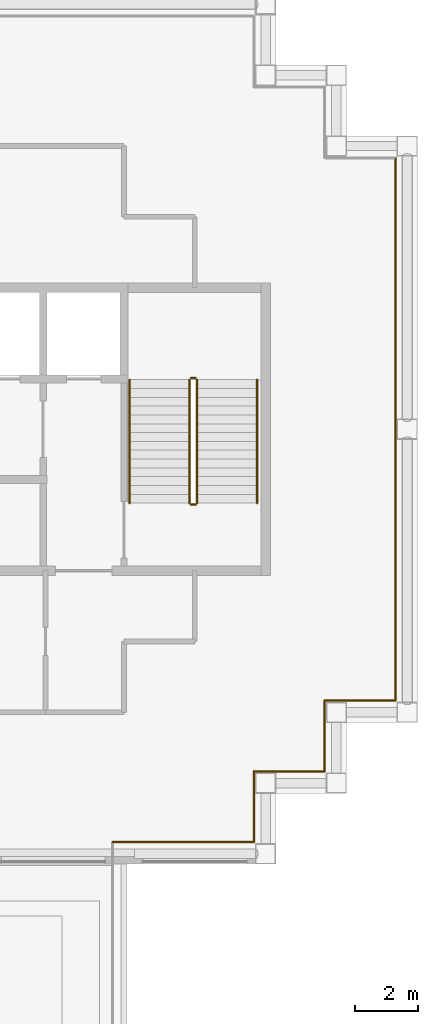
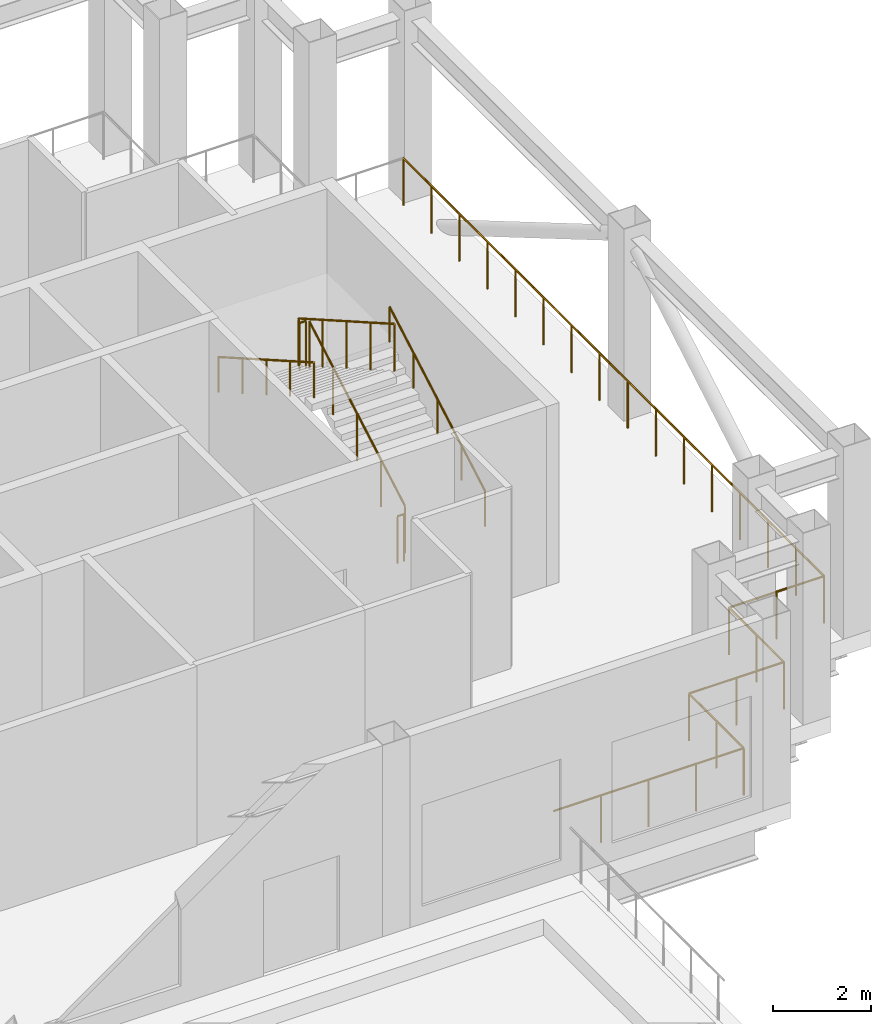
# One storey, part 9 of 10: 12 railings.
"""IFC4 building model written with IfcOpenShell, lengths in metres."""

from ifc_helpers import new_model, si_unit, direction, frame, origin, origin_2d, place, context, subcontext, project, spatial, circle, extrude, material, type_object, element, save


model = new_model("IFC4")

# Units and contexts
model_context = context("Model", 3, precision=1e-05, world=origin(), true_north=direction((0.0, 1.0)))
body_context = subcontext(model_context, "Body", "Model", "MODEL_VIEW")
ifc_project = project(units=[si_unit("LENGTHUNIT", "METRE"), si_unit("AREAUNIT", "SQUARE_METRE"), si_unit("VOLUMEUNIT", "CUBIC_METRE"), si_unit("PLANEANGLEUNIT", "RADIAN"), si_unit("MASSUNIT", "GRAM", prefix="KILO")], contexts=[model_context])

# Site, building, storey
site_placement = place(None, origin())
site = spatial("IfcSite", under=ifc_project, at=site_placement, CompositionType="ELEMENT")
building_placement = place(site_placement, origin())
building = spatial("IfcBuilding", under=site, at=building_placement, Name="Caravel Reach Hotel and Residences", CompositionType="ELEMENT")
storey_placement = place(building_placement, frame((0.0, 0.0, 233.10009765625)))
storey = spatial("IfcBuildingStorey", under=building, at=storey_placement, Name="L59", CompositionType="ELEMENT", Elevation=233.10009765625)

# Railings
ifc_material_1 = material(Name="Stainless steel S30408", Category="steel")
railing_type_1 = type_object("IfcRailingType", Name="G1 Guard 1200 stainless", PredefinedType="GUARDRAIL", material=ifc_material_1)
railing_1_placement = place(storey_placement, frame((40.125, 13.875, 0.0)))
element("IfcRailing", 1, at=railing_1_placement, inside=storey, type_object=railing_type_1, Name="Guard L59 1 run 3", PredefinedType="GUARDRAIL", context=body_context, shape_type="SweptSolid", body=[
    extrude(circle(Radius=0.02392578125, at=origin_2d()), frame((0.0, 0.0, 1.17578125), z_axis=(1.0, 0.0, 0.0), x_axis=(0.0, 1.0, 0.0)), (0.0, 0.0, 1.0), 4.5),
    extrude(circle(Radius=0.02099609375, at=origin_2d()), frame((1.125, 0.0, 0.0)), (0.0, 0.0, 1.0), 1.15185546875),
    extrude(circle(Radius=0.02099609375, at=origin_2d()), frame((2.25, 0.0, 0.0)), (0.0, 0.0, 1.0), 1.15185546875),
    extrude(circle(Radius=0.02099609375, at=origin_2d()), frame((3.375, 0.0, 0.0)), (0.0, 0.0, 1.0), 1.15185546875),
    extrude(circle(Radius=0.02099609375, at=origin_2d()), frame((4.5, 0.0, 0.0)), (0.0, 0.0, 1.0), 1.15185546875),
])
railing_2_placement = place(storey_placement, frame((44.625, 13.875, 0.0)))
element("IfcRailing", 2, at=railing_2_placement, inside=storey, type_object=railing_type_1, Name="Guard L59 1 run 4", PredefinedType="GUARDRAIL", context=body_context, shape_type="SweptSolid", body=[
    extrude(circle(Radius=0.02392578125, at=origin_2d()), frame((0.0, 0.0, 1.17578125), z_axis=(0.0, 1.0, 0.0), x_axis=(-1.0, 0.0, 0.0)), (0.0, 0.0, 1.0), 2.25),
    extrude(circle(Radius=0.02099609375, at=origin_2d()), frame((0.0, 1.125, 0.0)), (0.0, 0.0, 1.0), 1.15185546875),
    extrude(circle(Radius=0.02099609375, at=origin_2d()), frame((0.0, 2.25, 0.0)), (0.0, 0.0, 1.0), 1.15185546875),
])
railing_3_placement = place(storey_placement, frame((44.625, 16.125, 0.0)))
element("IfcRailing", 3, at=railing_3_placement, inside=storey, type_object=railing_type_1, Name="Guard L59 1 run 5", PredefinedType="GUARDRAIL", context=body_context, shape_type="SweptSolid", body=[
    extrude(circle(Radius=0.02392578125, at=origin_2d()), frame((0.0, 0.0, 1.17578125), z_axis=(1.0, 0.0, 0.0), x_axis=(0.0, 1.0, 0.0)), (0.0, 0.0, 1.0), 2.25),
    extrude(circle(Radius=0.02099609375, at=origin_2d()), frame((1.125, 0.0, 0.0)), (0.0, 0.0, 1.0), 1.15185546875),
    extrude(circle(Radius=0.02099609375, at=origin_2d()), frame((2.25, 0.0, 0.0)), (0.0, 0.0, 1.0), 1.15185546875),
])
railing_4_placement = place(storey_placement, frame((46.875, 16.125, 0.0)))
element("IfcRailing", 4, at=railing_4_placement, inside=storey, type_object=railing_type_1, Name="Guard L59 1 run 6", PredefinedType="GUARDRAIL", context=body_context, shape_type="SweptSolid", body=[
    extrude(circle(Radius=0.02392578125, at=origin_2d()), frame((0.0, 0.0, 1.17578125), z_axis=(0.0, 1.0, 0.0), x_axis=(-1.0, 0.0, 0.0)), (0.0, 0.0, 1.0), 2.25),
    extrude(circle(Radius=0.02099609375, at=origin_2d()), frame((0.0, 1.125, 0.0)), (0.0, 0.0, 1.0), 1.15185546875),
    extrude(circle(Radius=0.02099609375, at=origin_2d()), frame((0.0, 2.25, 0.0)), (0.0, 0.0, 1.0), 1.15185546875),
])
railing_5_placement = place(storey_placement, frame((46.875, 18.375, 0.0)))
element("IfcRailing", 5, at=railing_5_placement, inside=storey, type_object=railing_type_1, Name="Guard L59 1 run 7", PredefinedType="GUARDRAIL", context=body_context, shape_type="SweptSolid", body=[
    extrude(circle(Radius=0.02392578125, at=origin_2d()), frame((0.0, 0.0, 1.17578125), z_axis=(1.0, 0.0, 0.0), x_axis=(0.0, 1.0, 0.0)), (0.0, 0.0, 1.0), 2.25),
    extrude(circle(Radius=0.02099609375, at=origin_2d()), frame((1.125, 0.0, 0.0)), (0.0, 0.0, 1.0), 1.15185546875),
    extrude(circle(Radius=0.02099609375, at=origin_2d()), frame((2.25, 0.0, 0.0)), (0.0, 0.0, 1.0), 1.15185546875),
])
railing_6_placement = place(storey_placement, frame((49.125, 18.375, 0.0)))
element("IfcRailing", 6, at=railing_6_placement, inside=storey, type_object=railing_type_1, Name="Guard L59 1 run 8", PredefinedType="GUARDRAIL", context=body_context, shape_type="SweptSolid", body=[
    extrude(circle(Radius=0.02392578125, at=origin_2d()), frame((0.0, 0.0, 1.17578125), z_axis=(0.0, 1.0, 0.0), x_axis=(-1.0, 0.0, 0.0)), (0.0, 0.0, 1.0), 17.25),
    extrude(circle(Radius=0.02099609375, at=origin_2d()), frame((0.0, 1.14990234375, 0.0)), (0.0, 0.0, 1.0), 1.15185546875),
    extrude(circle(Radius=0.02099609375, at=origin_2d()), frame((0.0, 2.300048828125, 0.0)), (0.0, 0.0, 1.0), 1.15185546875),
    extrude(circle(Radius=0.02099609375, at=origin_2d()), frame((0.0, 3.449951171875, 0.0)), (0.0, 0.0, 1.0), 1.15185546875),
    extrude(circle(Radius=0.02099609375, at=origin_2d()), frame((0.0, 4.60009765625, 0.0)), (0.0, 0.0, 1.0), 1.15185546875),
    extrude(circle(Radius=0.02099609375, at=origin_2d()), frame((0.0, 5.75, 0.0)), (0.0, 0.0, 1.0), 1.15185546875),
    extrude(circle(Radius=0.02099609375, at=origin_2d()), frame((0.0, 6.89990234375, 0.0)), (0.0, 0.0, 1.0), 1.15185546875),
    extrude(circle(Radius=0.02099609375, at=origin_2d()), frame((0.0, 8.050048828125, 0.0)), (0.0, 0.0, 1.0), 1.15185546875),
    extrude(circle(Radius=0.02099609375, at=origin_2d()), frame((0.0, 9.199951171875, 0.0)), (0.0, 0.0, 1.0), 1.15185546875),
    extrude(circle(Radius=0.02099609375, at=origin_2d()), frame((0.0, 10.35009765625, 0.0)), (0.0, 0.0, 1.0), 1.15185546875),
    extrude(circle(Radius=0.02099609375, at=origin_2d()), frame((0.0, 11.5, 0.0)), (0.0, 0.0, 1.0), 1.15185546875),
    extrude(circle(Radius=0.02099609375, at=origin_2d()), frame((0.0, 12.64990234375, 0.0)), (0.0, 0.0, 1.0), 1.15185546875),
    extrude(circle(Radius=0.02099609375, at=origin_2d()), frame((0.0, 13.800048828125, 0.0)), (0.0, 0.0, 1.0), 1.15185546875),
    extrude(circle(Radius=0.02099609375, at=origin_2d()), frame((0.0, 14.949951171875, 0.0)), (0.0, 0.0, 1.0), 1.15185546875),
    extrude(circle(Radius=0.02099609375, at=origin_2d()), frame((0.0, 16.10009765625, 0.0)), (0.0, 0.0, 1.0), 1.15185546875),
    extrude(circle(Radius=0.02099609375, at=origin_2d()), frame((0.0, 17.25, 0.0)), (0.0, 0.0, 1.0), 1.15185546875),
])
ifc_material_2 = material(Name="Steel balustrade with glass infill", Category="steel")
railing_type_2 = type_object("IfcRailingType", Name="Guard 1200", PredefinedType="GUARDRAIL", material=ifc_material_2)
railing_7_placement = place(storey_placement, frame((42.824951171875, 24.64990234375, 0.159912109375)))
element("IfcRailing", 7, at=railing_7_placement, inside=storey, type_object=railing_type_2, Name="L59 ST-B stair guard 1", PredefinedType="GUARDRAIL", context=body_context, shape_type="SweptSolid", body=[
    extrude(circle(Radius=0.02392578125, at=origin_2d()), frame((0.0, 0.0, 1.17578125), z_axis=(0.0, 0.86825312469, 0.496121468458), x_axis=(-1.0, 0.0, 0.0)), (0.0, 0.0, 1.0), 4.514892578125),
    extrude(circle(Radius=0.02099609375, at=origin_2d()), origin(), (0.0, 0.0, 1.0), 1.15185546875),
    extrude(circle(Radius=0.02099609375, at=origin_2d()), frame((0.0, 0.97998046875, 0.56005859375)), (0.0, 0.0, 1.0), 1.15185546875),
    extrude(circle(Radius=0.02099609375, at=origin_2d()), frame((0.0, 1.9599609375, 1.1201171875)), (0.0, 0.0, 1.0), 1.15185546875),
    extrude(circle(Radius=0.02099609375, at=origin_2d()), frame((0.0, 2.940185546875, 1.679931640625)), (0.0, 0.0, 1.0), 1.15185546875),
    extrude(circle(Radius=0.02099609375, at=origin_2d()), frame((0.0, 3.920166015625, 2.239990234375)), (0.0, 0.0, 1.0), 1.15185546875),
])
railing_8_placement = place(storey_placement, frame((42.77490234375, 28.6201171875, 2.39990234375)))
element("IfcRailing", 8, at=railing_8_placement, inside=storey, type_object=railing_type_2, Name="L59 ST-B stair guard 2", PredefinedType="GUARDRAIL", context=body_context, shape_type="SweptSolid", body=[
    extrude(circle(Radius=0.02392578125, at=origin_2d()), frame((0.0, 0.0, 1.17578125), z_axis=(-1.0, 0.0, 0.0), x_axis=(0.0, -1.0, 0.0)), (0.0, 0.0, 1.0), 0.14990234375),
    extrude(circle(Radius=0.02099609375, at=origin_2d()), origin(), (0.0, 0.0, 1.0), 1.15185546875),
    extrude(circle(Radius=0.02099609375, at=origin_2d()), frame((-0.14990234375, 0.0, 0.0)), (0.0, 0.0, 1.0), 1.15185546875),
])
railing_9_placement = place(storey_placement, frame((42.574951171875, 28.570068359375, 2.559814453125)))
element("IfcRailing", 9, at=railing_9_placement, inside=storey, type_object=railing_type_2, Name="L59 ST-B stair guard 3", PredefinedType="GUARDRAIL", context=body_context, shape_type="SweptSolid", body=[
    extrude(circle(Radius=0.02392578125, at=origin_2d()), frame((0.0, 0.0, 1.17578125), z_axis=(0.0, -0.86825312469, 0.496121468458), x_axis=(1.0, 0.0, 0.0)), (0.0, 0.0, 1.0), 4.514892578125),
    extrude(circle(Radius=0.02099609375, at=origin_2d()), origin(), (0.0, 0.0, 1.0), 1.15185546875),
    extrude(circle(Radius=0.02099609375, at=origin_2d()), frame((0.0, -0.97998046875, 0.56005859375)), (0.0, 0.0, 1.0), 1.15185546875),
    extrude(circle(Radius=0.02099609375, at=origin_2d()), frame((0.0, -1.9599609375, 1.1201171875)), (0.0, 0.0, 1.0), 1.15185546875),
    extrude(circle(Radius=0.02099609375, at=origin_2d()), frame((0.0, -2.940185546875, 1.679931640625)), (0.0, 0.0, 1.0), 1.15185546875),
    extrude(circle(Radius=0.02099609375, at=origin_2d()), frame((0.0, -3.920166015625, 2.239990234375)), (0.0, 0.0, 1.0), 1.15185546875),
])
railing_10_placement = place(storey_placement, frame((42.77490234375, 24.60009765625, 0.0)))
element("IfcRailing", 10, at=railing_10_placement, inside=storey, type_object=railing_type_2, Name="L59 ST-B stair guard 4", PredefinedType="GUARDRAIL", context=body_context, shape_type="SweptSolid", body=[
    extrude(circle(Radius=0.02392578125, at=origin_2d()), frame((0.0, 0.0, 1.17578125), z_axis=(-1.0, 0.0, 0.0), x_axis=(0.0, -1.0, 0.0)), (0.0, 0.0, 1.0), 0.14990234375),
    extrude(circle(Radius=0.02099609375, at=origin_2d()), origin(), (0.0, 0.0, 1.0), 1.15185546875),
    extrude(circle(Radius=0.02099609375, at=origin_2d()), frame((-0.14990234375, 0.0, 0.0)), (0.0, 0.0, 1.0), 1.15185546875),
])
ifc_material_3 = material(Name="Stainless steel handrail", Category="steel")
railing_type_3 = type_object("IfcRailingType", Name="Handrail 900", PredefinedType="HANDRAIL", material=ifc_material_3)
railing_11_placement = place(storey_placement, frame((44.72509765625, 24.64990234375, 0.159912109375)))
element("IfcRailing", 11, at=railing_11_placement, inside=storey, type_object=railing_type_3, Name="L59 ST-B stair handrail 1", PredefinedType="HANDRAIL", context=body_context, shape_type="SweptSolid", body=[
    extrude(circle(Radius=0.02392578125, at=origin_2d()), frame((0.0, 0.0, 0.8759765625), z_axis=(0.0, 0.86825312469, 0.496121468458), x_axis=(-1.0, 0.0, 0.0)), (0.0, 0.0, 1.0), 4.514892578125),
    extrude(circle(Radius=0.02099609375, at=origin_2d()), origin(), (0.0, 0.0, 1.0), 0.851806640625),
    extrude(circle(Radius=0.02099609375, at=origin_2d()), frame((0.0, 0.97998046875, 0.56005859375)), (0.0, 0.0, 1.0), 0.851806640625),
    extrude(circle(Radius=0.02099609375, at=origin_2d()), frame((0.0, 1.9599609375, 1.1201171875)), (0.0, 0.0, 1.0), 0.851806640625),
    extrude(circle(Radius=0.02099609375, at=origin_2d()), frame((0.0, 2.940185546875, 1.679931640625)), (0.0, 0.0, 1.0), 0.851806640625),
    extrude(circle(Radius=0.02099609375, at=origin_2d()), frame((0.0, 3.920166015625, 2.239990234375)), (0.0, 0.0, 1.0), 0.851806640625),
])
railing_12_placement = place(storey_placement, frame((40.675048828125, 28.570068359375, 2.559814453125)))
element("IfcRailing", 12, at=railing_12_placement, inside=storey, type_object=railing_type_3, Name="L59 ST-B stair handrail 2", PredefinedType="HANDRAIL", context=body_context, shape_type="SweptSolid", body=[
    extrude(circle(Radius=0.02392578125, at=origin_2d()), frame((0.0, 0.0, 0.8759765625), z_axis=(0.0, -0.86825312469, 0.496121468458), x_axis=(1.0, 0.0, 0.0)), (0.0, 0.0, 1.0), 4.514892578125),
    extrude(circle(Radius=0.02099609375, at=origin_2d()), origin(), (0.0, 0.0, 1.0), 0.851806640625),
    extrude(circle(Radius=0.02099609375, at=origin_2d()), frame((0.0, -0.97998046875, 0.56005859375)), (0.0, 0.0, 1.0), 0.851806640625),
    extrude(circle(Radius=0.02099609375, at=origin_2d()), frame((0.0, -1.9599609375, 1.1201171875)), (0.0, 0.0, 1.0), 0.851806640625),
    extrude(circle(Radius=0.02099609375, at=origin_2d()), frame((0.0, -2.940185546875, 1.679931640625)), (0.0, 0.0, 1.0), 0.851806640625),
    extrude(circle(Radius=0.02099609375, at=origin_2d()), frame((0.0, -3.920166015625, 2.239990234375)), (0.0, 0.0, 1.0), 0.851806640625),
])

save(model, "model.ifc")
